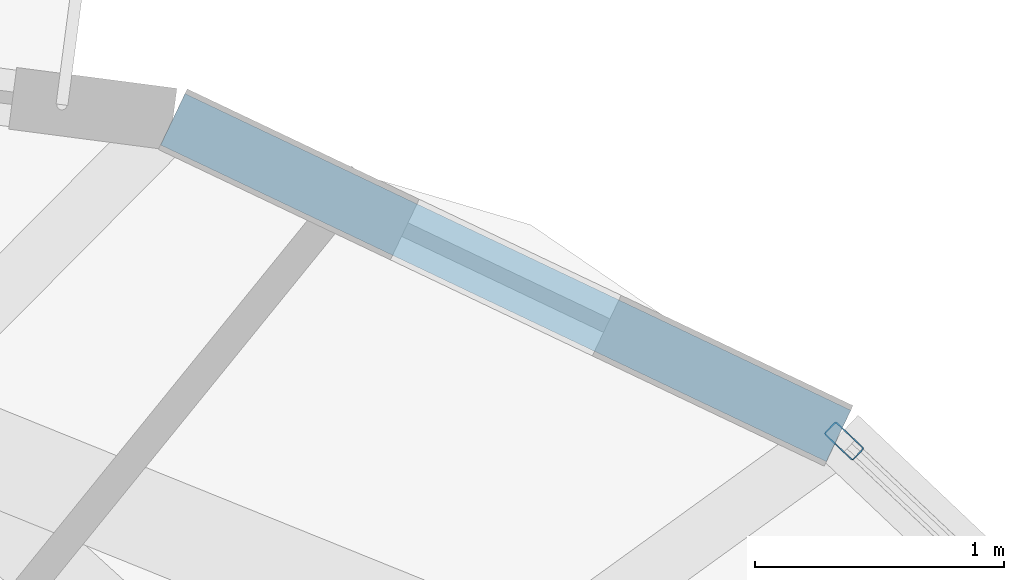
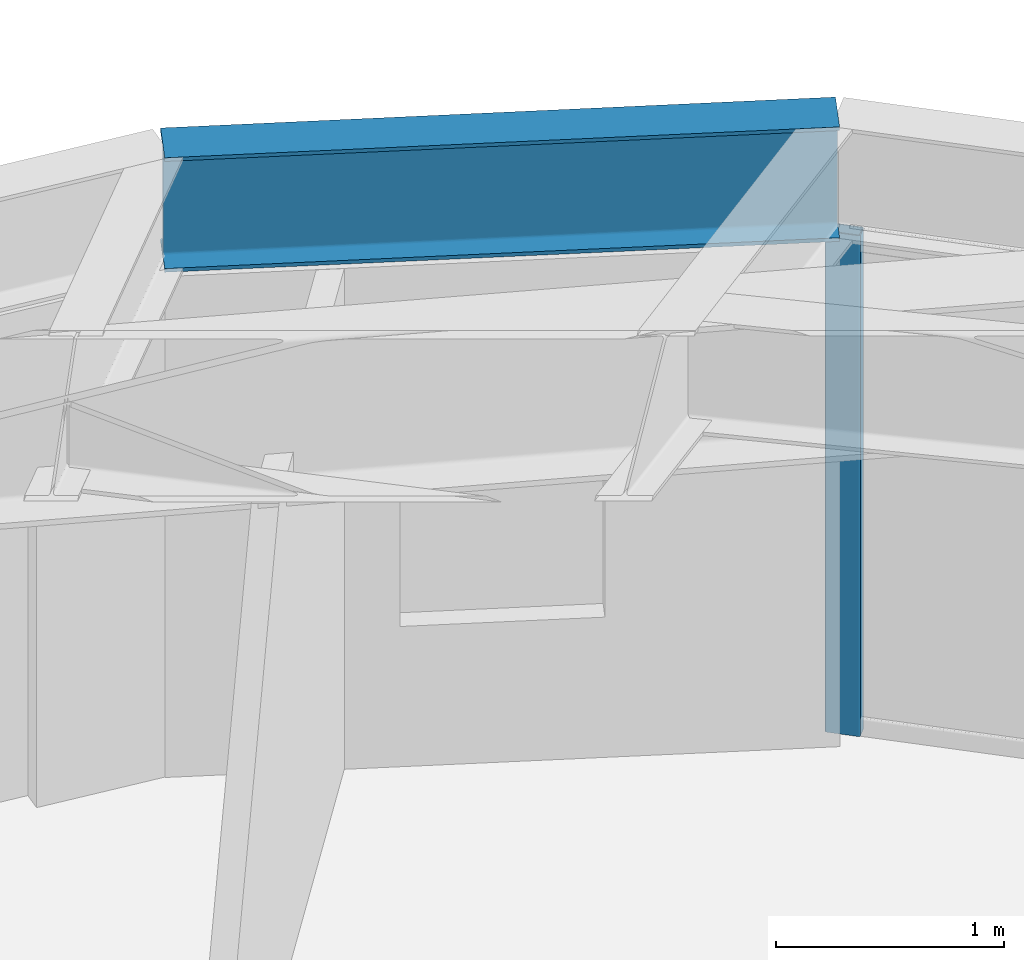
# One storey, part 16 of 23: 1 beam, 1 member, 1 element without a shape of its own.
"""IFC4 building model written with IfcOpenShell, lengths in metres."""

import ifcopenshell
import ifcopenshell.guid

model = None  # the IFC model being written
_history = None  # IfcOwnerHistory: only IFC2X3 demands one
_inside = {}  # id of a spatial element -> (the spatial element, [elements in it])
_under = {}  # id of a project, library or spatial element -> (it, [spatial elements below it])
_declared = {}  # id of a project -> (the project, [libraries it declares])
_typed = {}  # id of a type object -> (the type object, [elements of that type])
_made_of = {}  # id of a material, layer set ... -> (it, [elements and type objects made of it])


def new_model(schema):
    """Start an empty IFC model of exactly this schema.

    Asked for "IFC4X3", IfcOpenShell would pick the latest addendum, in which some entities
    have other attributes; the version numbers below select the first issue.
    IFC2X3 requires an IfcOwnerHistory on every rooted entity: one is made here for all.
    """
    global model, _history
    if schema == "IFC4X3":
        model = ifcopenshell.file(schema_version=(4, 3, 0, 0))
    else:
        model = ifcopenshell.file(schema=schema)
    _inside.clear()
    _under.clear()
    _declared.clear()
    _typed.clear()
    _made_of.clear()
    _history = None
    if model.schema == "IFC2X3":
        org = make("IfcOrganization", Name="unknown")
        user = make(
            "IfcPersonAndOrganization",
            ThePerson=make("IfcPerson", FamilyName="unknown"),
            TheOrganization=org,
        )
        app = make(
            "IfcApplication",
            ApplicationDeveloper=org,
            Version="unknown",
            ApplicationFullName="unknown",
            ApplicationIdentifier="unknown",
        )
        _history = make(
            "IfcOwnerHistory",
            OwningUser=user,
            OwningApplication=app,
            ChangeAction="ADDED",
            CreationDate=0,
        )
    return model


def make(cls, **values):
    """One entity of the class cls with the attributes given. An attribute that is None is left unset."""
    return model.create_entity(
        cls, **{name: value for name, value in values.items() if value is not None}
    )


def rooted(cls, **values):
    """An entity with a GlobalId (a new one), such as an element, a storey or a relation."""
    return make(cls, GlobalId=ifcopenshell.guid.new(), OwnerHistory=_history, **values)


def si_unit(unit_type, name, prefix=None):
    """IfcSIUnit, for example si_unit("LENGTHUNIT", "METRE", prefix="MILLI")."""
    return make("IfcSIUnit", UnitType=unit_type, Prefix=prefix, Name=name)


def assignment(units):
    """IfcUnitAssignment: the units of a project."""
    return None if units is None else make("IfcUnitAssignment", Units=units)


def point(xyz):
    """IfcCartesianPoint."""
    return None if xyz is None else make("IfcCartesianPoint", Coordinates=xyz)


def direction(xyz):
    """IfcDirection."""
    return None if xyz is None else make("IfcDirection", DirectionRatios=xyz)


def frame(location, z_axis=None, x_axis=None):
    """IfcAxis2Placement3D, a coordinate frame: its origin and axes. An axis left out is left unset."""
    return make(
        "IfcAxis2Placement3D",
        Location=point(location),
        Axis=direction(z_axis),
        RefDirection=direction(x_axis),
    )


def frame_2d(location, x_axis=None):
    """IfcAxis2Placement2D, a coordinate frame in the plane: its origin and x axis."""
    return make(
        "IfcAxis2Placement2D", Location=point(location), RefDirection=direction(x_axis)
    )


def origin():
    """The frame at (0, 0, 0) with its axes left unset."""
    return frame((0.0, 0.0, 0.0))


def origin_2d():
    """The frame at (0, 0) in the plane with its x axis left unset."""
    return frame_2d((0.0, 0.0))


def place(relative_to, where):
    """IfcLocalPlacement: puts the frame where relative to a parent placement (None: the world)."""
    return make(
        "IfcLocalPlacement", PlacementRelTo=relative_to, RelativePlacement=where
    )


def context(
    kind, dimensions, precision=None, world=None, true_north=None, identifier=None
):
    """IfcGeometricRepresentationContext, for example the 3D "Model" context."""
    return make(
        "IfcGeometricRepresentationContext",
        ContextIdentifier=identifier,
        ContextType=kind,
        CoordinateSpaceDimension=dimensions,
        Precision=precision,
        WorldCoordinateSystem=world,
        TrueNorth=true_north,
    )


def subcontext(parent, identifier, kind, view, scale=None):
    """IfcGeometricRepresentationSubContext, for example "Body" below "Model"."""
    return make(
        "IfcGeometricRepresentationSubContext",
        ContextIdentifier=identifier,
        ContextType=kind,
        ParentContext=parent,
        TargetScale=scale,
        TargetView=view,
    )


def project(units=None, contexts=None):
    """IfcProject with its units and contexts."""
    return rooted(
        "IfcProject",
        Name="project",
        RepresentationContexts=contexts,
        UnitsInContext=assignment(units),
    )


def spatial(cls, under=None, at=None, **own):
    """A site, building, storey or space (cls), placed at a placement, below another one or the project."""
    s = rooted(cls, ObjectPlacement=at, **own)
    if under is not None:
        _under.setdefault(under.id(), (under, []))[1].append(s)
    return s


def profile(cls, at=None, kind="AREA", **sizes):
    """A parametric profile (cls). Its sizes go by their IFC names, for example OverallWidth=200.0."""
    return make(cls, ProfileType=kind, Position=at, **sizes)


def hollow_rectangle(**sizes):
    """IfcRectangleHollowProfileDef."""
    return profile("IfcRectangleHollowProfileDef", **sizes)


def i_section(**sizes):
    """IfcIShapeProfileDef."""
    return profile("IfcIShapeProfileDef", **sizes)


def extrude(swept, where, along, depth):
    """IfcExtrudedAreaSolid: the profile swept, set in the frame where, extruded along a direction by depth."""
    return make(
        "IfcExtrudedAreaSolid",
        SweptArea=swept,
        Position=where,
        ExtrudedDirection=direction(along),
        Depth=depth,
    )


def shape(context_of_items, identifier, shape_type, items):
    """IfcShapeRepresentation: the items that make up one representation, for example the "Body"."""
    return make(
        "IfcShapeRepresentation",
        ContextOfItems=context_of_items,
        RepresentationIdentifier=identifier,
        RepresentationType=shape_type,
        Items=items,
    )


def material(Name=None, Category=None):
    """IfcMaterial."""
    return make("IfcMaterial", Name=Name, Category=Category)


def layer(
    of_material, thickness, ventilated=None, Name=None, Category=None, Priority=None
):
    """IfcMaterialLayer: one layer of a wall or slab, of a material (None: an air gap)."""
    return make(
        "IfcMaterialLayer",
        Material=of_material,
        LayerThickness=thickness,
        IsVentilated=ventilated,
        Name=Name,
        Category=Category,
        Priority=Priority,
    )


def layer_set(layers, Name=None):
    """IfcMaterialLayerSet."""
    return make("IfcMaterialLayerSet", MaterialLayers=layers, LayerSetName=Name)


def material_profile(
    of_material, cross_section, Name=None, Category=None, Priority=None
):
    """IfcMaterialProfile: a cross section and its material."""
    return make(
        "IfcMaterialProfile",
        Name=Name,
        Material=of_material,
        Profile=cross_section,
        Priority=Priority,
        Category=Category,
    )


def profile_set(profiles, Name=None, composite=None):
    """IfcMaterialProfileSet."""
    return make(
        "IfcMaterialProfileSet",
        Name=Name,
        MaterialProfiles=profiles,
        CompositeProfile=composite,
    )


def made_of(thing, what):
    """Note that an element or type object is made of a material, layer set ...; save() writes the relation."""
    if what is not None:
        _made_of.setdefault(what.id(), (what, []))[1].append(thing)
    return thing


def type_object(cls, material=None, **own):
    """A type object (cls), such as IfcWallType, which elements share."""
    return made_of(rooted(cls, **own), material)


def element(
    cls,
    number,
    at=None,
    inside=None,
    cuts=None,
    type_object=None,
    material=None,
    context=None,
    identifier="Body",
    shape_type=None,
    held_by="IfcProductDefinitionShape",
    body=None,
    shapes=None,
    **own,
):
    """One element of the class cls, such as IfcWall. Its Tag is "e" and its number.

    at: its placement. inside: the storey or other place that contains it. cuts: it is an
    opening in that element (IfcRelVoidsElement). A single representation is given by context,
    identifier, shape_type and body (its items); several are given by shapes. held_by: the class
    of the entity that holds the representations. save() writes the other relations.
    """
    e = rooted(cls, Tag="e%d" % number, ObjectPlacement=at, **own)
    if body is not None:
        shapes = [shape(context, identifier, shape_type, body)]
    if shapes is not None:
        e.Representation = make(held_by, Representations=shapes)
    if inside is not None:
        _inside.setdefault(inside.id(), (inside, []))[1].append(e)
    if cuts is not None:
        rooted(
            "IfcRelVoidsElement", RelatingBuildingElement=cuts, RelatedOpeningElement=e
        )
    if type_object is not None:
        _typed.setdefault(type_object.id(), (type_object, []))[1].append(e)
    return made_of(e, material)


def aggregate(whole, parts):
    """IfcRelAggregates: a whole, such as a stair, and the parts it consists of."""
    return rooted("IfcRelAggregates", RelatingObject=whole, RelatedObjects=parts)


def save(model, path):
    """Write the relations noted so far, then the file.

    IfcRelAggregates (storeys below a building ...), IfcRelContainedInSpatialStructure (elements
    in a storey), IfcRelDefinesByType, IfcRelAssociatesMaterial and IfcRelDeclares: one each for
    every whole, place, type object, material and project.
    """
    for whole, parts in _under.values():
        aggregate(whole, parts)
    for where, things in _inside.values():
        rooted(
            "IfcRelContainedInSpatialStructure",
            RelatedElements=things,
            RelatingStructure=where,
        )
    for kind, things in _typed.values():
        rooted("IfcRelDefinesByType", RelatedObjects=things, RelatingType=kind)
    for what, things in _made_of.values():
        rooted("IfcRelAssociatesMaterial", RelatedObjects=things, RelatingMaterial=what)
    for by, libraries in _declared.values():
        rooted("IfcRelDeclares", RelatingContext=by, RelatedDefinitions=libraries)
    model.write(path)


model = new_model("IFC4")

# Units and contexts
model_context = context("Model", 3, precision=1e-05, world=origin(), true_north=direction((0.0, 1.0)))
body_context = subcontext(model_context, "Body", "Model", "MODEL_VIEW")
ifc_project = project(units=[si_unit("LENGTHUNIT", "METRE"), si_unit("AREAUNIT", "SQUARE_METRE"), si_unit("VOLUMEUNIT", "CUBIC_METRE"), si_unit("PLANEANGLEUNIT", "RADIAN"), si_unit("MASSUNIT", "GRAM", prefix="KILO")], contexts=[model_context])

# Site, building, storey
site_placement = place(None, origin())
site = spatial("IfcSite", under=ifc_project, at=site_placement, CompositionType="ELEMENT")
building_placement = place(site_placement, origin())
building = spatial("IfcBuilding", under=site, at=building_placement, Name="Soratama Intermodal Tower", CompositionType="ELEMENT")
storey_placement = place(building_placement, frame((0.0, 0.0, 139.0)))
storey = spatial("IfcBuildingStorey", under=building, at=storey_placement, Name="L33", CompositionType="ELEMENT", Elevation=139.0)

# Beam
ifc_material_1 = material(Name="Structural steel ASTM A992 Grade 50", Category="steel")
ifc_material_profile_1 = material_profile(ifc_material_1, i_section(OverallWidth=0.22900390625, OverallDepth=0.612060546875, WebThickness=0.011962890625, FlangeThickness=0.01953125, FilletRadius=0.012939453125, at=origin_2d()), Name="W24X84")
ifc_profile_set_1 = profile_set([ifc_material_profile_1], Name="Structural steel ASTM A992 Grade 50")
beam_type = type_object("IfcBeamType", Name="BM-SPN-W24X84", PredefinedType="SPANDREL", material=ifc_profile_set_1)
beam_placement = place(storey_placement, frame((54.1220703125, 40.72412109375, 2.993896484375), z_axis=(-0.903091622806, 0.429447925618, 0.0), x_axis=(-0.429447925618, -0.903091622806, 0.0)))
element("IfcBeam", 1, at=beam_placement, inside=storey, type_object=beam_type, Name="BS-L33-CRN01", PredefinedType="SPANDREL", context=body_context, shape_type="SweptSolid", body=[
    extrude(i_section(OverallWidth=0.22900390625, OverallDepth=0.612060546875, WebThickness=0.011962890625, FlangeThickness=0.01953125, FilletRadius=0.012939453125, at=origin_2d()), origin(), (0.0, 0.0, 1.0), 2.96630859375),
])

# Curtain wall, member
ifc_material_2 = material(Name="Double-glazed aluminium curtain wall", Category="aluminium")
ifc_layer = layer(ifc_material_2, 0.159912109375)
ifc_layer_set = layer_set([ifc_layer], Name="Double-glazed aluminium curtain wall")
curtain_wall_type = type_object("IfcCurtainWallType", Name="CW-SYS-4", PredefinedType="NOTDEFINED", material=ifc_layer_set)
curtain_wall_placement = place(storey_placement, origin())
curtain_wall = element("IfcCurtainWall", 2, at=curtain_wall_placement, inside=storey, type_object=curtain_wall_type, Name="L33 Faceted Curtain Wall F01", PredefinedType="NOTDEFINED")
ifc_material_3 = material(Name="Anodised aluminium AA 6063-T6", Category="aluminium")
ifc_material_profile_2 = material_profile(ifc_material_3, hollow_rectangle(XDim=0.070068359375, YDim=0.159912109375, WallThickness=0.0048828125, InnerFilletRadius=0.0048828125, OuterFilletRadius=0.010009765625, at=origin_2d()), Name="CWM160X70X5")
ifc_profile_set_2 = profile_set([ifc_material_profile_2], Name="Anodised aluminium AA 6063-T6")
member_type = type_object("IfcMemberType", Name="MT-CWM-4", PredefinedType="MULLION", material=ifc_profile_set_2)
member_placement = place(storey_placement, frame((54.14404296875, 40.703369140625, 0.0), z_axis=(0.0, 0.0, 1.0), x_axis=(-0.687593964864, -0.726095406598, 0.0)))
member = element("IfcMember", 3, at=member_placement, type_object=member_type, Name="CW-4 mullion 2", PredefinedType="MULLION", context=body_context, shape_type="SweptSolid", body=[
    extrude(hollow_rectangle(XDim=0.070068359375, YDim=0.159912109375, WallThickness=0.0048828125, InnerFilletRadius=0.0048828125, OuterFilletRadius=0.010009765625, at=origin_2d()), origin(), (0.0, 0.0, 1.0), 2.678955078125),
])
aggregate(curtain_wall, [member])

save(model, "model.ifc")
